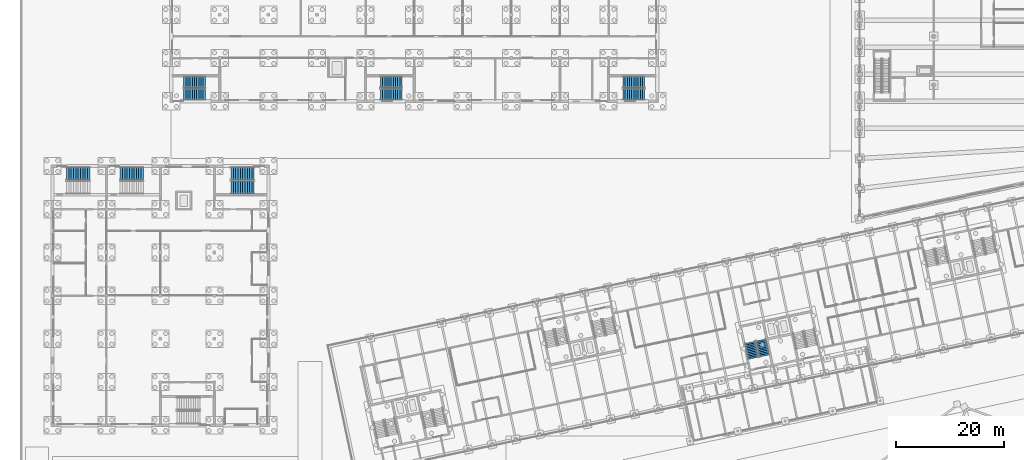
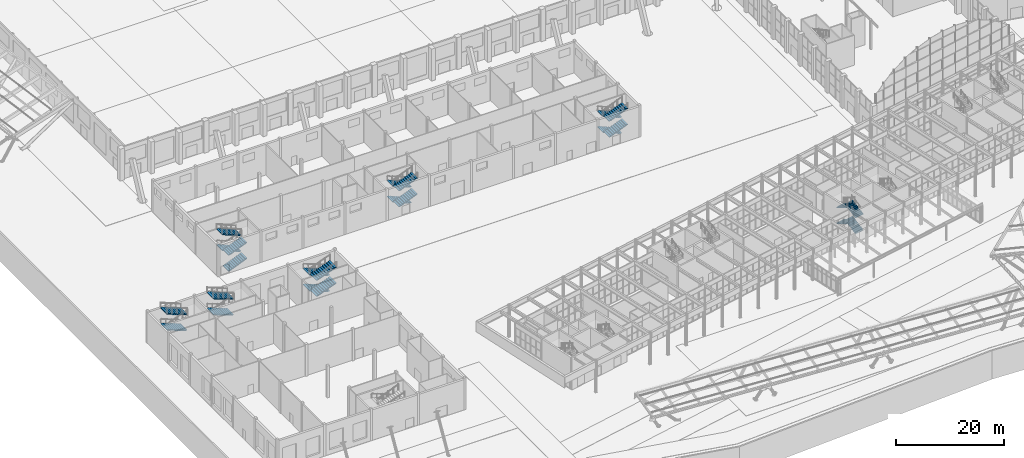
# One storey, part 191 of 239: 24 stair flights, 7 elements without a shape of their own.
"""IFC4 building model written with IfcOpenShell, lengths in metres."""

from ifc_helpers import new_model, si_unit, direction, frame, origin, place, context, subcontext, project, spatial, polyline, outline, extrude, material, type_object, element, aggregate, save


model = new_model("IFC4")

# Units and contexts
model_context = context("Model", 3, precision=1e-05, world=origin(), true_north=direction((0.0, 1.0)))
body_context = subcontext(model_context, "Body", "Model", "MODEL_VIEW")
ifc_project = project(units=[si_unit("LENGTHUNIT", "METRE"), si_unit("AREAUNIT", "SQUARE_METRE"), si_unit("VOLUMEUNIT", "CUBIC_METRE"), si_unit("PLANEANGLEUNIT", "RADIAN"), si_unit("MASSUNIT", "GRAM", prefix="KILO")], contexts=[model_context])

# Site, building, storey
site_placement = place(None, origin())
site = spatial("IfcSite", under=ifc_project, at=site_placement, CompositionType="ELEMENT")
building_placement = place(site_placement, origin())
building = spatial("IfcBuilding", under=site, at=building_placement, Name="Okhra Congress Centre", CompositionType="ELEMENT")
storey_placement = place(building_placement, origin())
storey = spatial("IfcBuildingStorey", under=building, at=storey_placement, Name="L00", CompositionType="ELEMENT", Elevation=0.0)

# Stair, stair flights
ifc_material = material(Name="Concrete C30/37", Category="concrete")
stair_type_1 = type_object("IfcStairType", Name="Escape stair 1900 wide, 44 risers of 163.6", PredefinedType="HALF_TURN_STAIR", material=ifc_material)
stair_1_placement = place(storey_placement, origin())
stair_1 = element("IfcStair", 1, at=stair_1_placement, inside=storey, type_object=stair_type_1, Name="L00 Escape stair 3A", PredefinedType="HALF_TURN_STAIR")
stair_flight_type_1 = type_object("IfcStairFlightType", Name="Stair flight 1900 wide", PredefinedType="STRAIGHT", material=ifc_material)
stair_flight_1_placement = place(storey_placement, frame((137.859130859375, 48.84326171875, 0.0), z_axis=(0.0, 0.0, 1.0), x_axis=(-0.207911690818, 0.978147600734, 0.0)))
stair_flight_1 = element("IfcStairFlight", 2, at=stair_flight_1_placement, type_object=stair_flight_type_1, Name="BS3A flight 1", NumberOfRisers=11, NumberOfTreads=10, PredefinedType="STRAIGHT", RiserHeight=0.163636364, TreadLength=0.3, context=body_context, shape_type="SweptSolid", body=[
    extrude(outline(polyline([(0.0, 0.0), (0.0, 0.16357421875), (0.300048828125, 0.16357421875), (0.300048828125, 0.327392578125), (0.60009765625, 0.327392578125), (0.60009765625, 0.490966796875), (0.89990234375, 0.490966796875), (0.89990234375, 0.654541015625), (1.199951171875, 0.654541015625), (1.199951171875, 0.818115234375), (1.5, 0.818115234375), (1.5, 0.98193359375), (1.800048828125, 0.98193359375), (1.800048828125, 1.1455078125), (2.10009765625, 1.1455078125), (2.10009765625, 1.30908203125), (2.39990234375, 1.30908203125), (2.39990234375, 1.47265625), (2.699951171875, 1.47265625), (2.699951171875, 1.636474609375), (3.0, 1.636474609375), (3.0, 1.800048828125), (3.0, 1.49951171875), (0.250732421875, 0.0), (0.0, 0.0)])), frame((0.0, 0.949951171875, 0.0), z_axis=(0.0, -1.0, 0.0), x_axis=(1.0, 0.0, 0.0)), (0.0, 0.0, 1.0), 1.89990234375),
])
stair_flight_2_placement = place(storey_placement, frame((135.181396484375, 51.34130859375, 1.800048828125), z_axis=(0.0, 0.0, 1.0), x_axis=(0.207911690818, -0.978147600734, 0.0)))
stair_flight_2 = element("IfcStairFlight", 3, at=stair_flight_2_placement, type_object=stair_flight_type_1, Name="BS3A flight 2", NumberOfRisers=11, NumberOfTreads=10, PredefinedType="STRAIGHT", RiserHeight=0.163636364, TreadLength=0.3, context=body_context, shape_type="SweptSolid", body=[
    extrude(outline(polyline([(0.0, 0.0), (0.0, 0.16357421875), (0.300048828125, 0.16357421875), (0.300048828125, 0.327392578125), (0.60009765625, 0.327392578125), (0.60009765625, 0.490966796875), (0.89990234375, 0.490966796875), (0.89990234375, 0.654541015625), (1.199951171875, 0.654541015625), (1.199951171875, 0.818115234375), (1.5, 0.818115234375), (1.5, 0.98193359375), (1.800048828125, 0.98193359375), (1.800048828125, 1.1455078125), (2.10009765625, 1.1455078125), (2.10009765625, 1.30908203125), (2.39990234375, 1.30908203125), (2.39990234375, 1.47265625), (2.699951171875, 1.47265625), (2.699951171875, 1.636474609375), (3.0, 1.636474609375), (3.0, 1.800048828125), (3.0, 1.49951171875), (0.250732421875, 0.0), (0.0, 0.0)])), frame((0.0, 0.949951171875, 0.0), z_axis=(0.0, -1.0, 0.0), x_axis=(1.0, 0.0, 0.0)), (0.0, 0.0, 1.0), 1.89990234375),
])
stair_flight_3_placement = place(storey_placement, frame((137.859130859375, 48.84326171875, 3.60009765625), z_axis=(0.0, 0.0, 1.0), x_axis=(-0.207911690818, 0.978147600734, 0.0)))
stair_flight_3 = element("IfcStairFlight", 4, at=stair_flight_3_placement, type_object=stair_flight_type_1, Name="BS3A flight 3", NumberOfRisers=11, NumberOfTreads=10, PredefinedType="STRAIGHT", RiserHeight=0.163636364, TreadLength=0.3, context=body_context, shape_type="SweptSolid", body=[
    extrude(outline(polyline([(0.0, 0.0), (0.0, 0.16357421875), (0.300048828125, 0.16357421875), (0.300048828125, 0.327392578125), (0.60009765625, 0.327392578125), (0.60009765625, 0.490966796875), (0.89990234375, 0.490966796875), (0.89990234375, 0.654541015625), (1.199951171875, 0.654541015625), (1.199951171875, 0.818115234375), (1.5, 0.818115234375), (1.5, 0.98193359375), (1.800048828125, 0.98193359375), (1.800048828125, 1.1455078125), (2.10009765625, 1.1455078125), (2.10009765625, 1.30908203125), (2.39990234375, 1.30908203125), (2.39990234375, 1.47265625), (2.699951171875, 1.47265625), (2.699951171875, 1.636474609375), (3.0, 1.636474609375), (3.0, 1.800048828125), (3.0, 1.49951171875), (0.250732421875, 0.0), (0.0, 0.0)])), frame((0.0, 0.949951171875, 0.0), z_axis=(0.0, -1.0, 0.0), x_axis=(1.0, 0.0, 0.0)), (0.0, 0.0, 1.0), 1.89990234375),
])
stair_flight_4_placement = place(storey_placement, frame((135.181396484375, 51.34130859375, 5.39990234375), z_axis=(0.0, 0.0, 1.0), x_axis=(0.207911690818, -0.978147600734, 0.0)))
stair_flight_4 = element("IfcStairFlight", 5, at=stair_flight_4_placement, type_object=stair_flight_type_1, Name="BS3A flight 4", NumberOfRisers=11, NumberOfTreads=10, PredefinedType="STRAIGHT", RiserHeight=0.163636364, TreadLength=0.3, context=body_context, shape_type="SweptSolid", body=[
    extrude(outline(polyline([(0.0, 0.0), (0.0, 0.16357421875), (0.300048828125, 0.16357421875), (0.300048828125, 0.327392578125), (0.60009765625, 0.327392578125), (0.60009765625, 0.490966796875), (0.89990234375, 0.490966796875), (0.89990234375, 0.654541015625), (1.199951171875, 0.654541015625), (1.199951171875, 0.818115234375), (1.5, 0.818115234375), (1.5, 0.98193359375), (1.800048828125, 0.98193359375), (1.800048828125, 1.1455078125), (2.10009765625, 1.1455078125), (2.10009765625, 1.30908203125), (2.39990234375, 1.30908203125), (2.39990234375, 1.47265625), (2.699951171875, 1.47265625), (2.699951171875, 1.636474609375), (3.0, 1.636474609375), (3.0, 1.800048828125), (3.0, 1.49951171875), (0.250732421875, 0.0), (0.0, 0.0)])), frame((0.0, 0.949951171875, 0.0), z_axis=(0.0, -1.0, 0.0), x_axis=(1.0, 0.0, 0.0)), (0.0, 0.0, 1.0), 1.89990234375),
])
aggregate(stair_1, [stair_flight_1, stair_flight_2, stair_flight_3, stair_flight_4])

stair_type_2 = type_object("IfcStairType", Name="Escape stair 2100 wide, 44 risers of 163.6", PredefinedType="HALF_TURN_STAIR", material=ifc_material)
stair_2_placement = place(storey_placement, origin())
stair_2 = element("IfcStair", 6, at=stair_2_placement, inside=storey, type_object=stair_type_2, Name="L00 Stair A", PredefinedType="HALF_TURN_STAIR")
stair_flight_type_2 = type_object("IfcStairFlightType", Name="Stair flight 2100 wide", PredefinedType="STRAIGHT", material=ifc_material)
stair_flight_5_placement = place(storey_placement, frame((30.324951171875, 97.27490234375, 0.0), z_axis=(0.0, 0.0, 1.0), x_axis=(1.0, 0.0, 0.0)))
stair_flight_5 = element("IfcStairFlight", 7, at=stair_flight_5_placement, type_object=stair_flight_type_2, Name="A flight 1", NumberOfRisers=11, NumberOfTreads=10, PredefinedType="STRAIGHT", RiserHeight=0.163636364, TreadLength=0.4, context=body_context, shape_type="SweptSolid", body=[
    extrude(outline(polyline([(0.0, 0.0), (0.0, 0.16357421875), (0.39990234375, 0.16357421875), (0.39990234375, 0.327392578125), (0.800048828125, 0.327392578125), (0.800048828125, 0.490966796875), (1.199951171875, 0.490966796875), (1.199951171875, 0.654541015625), (1.60009765625, 0.654541015625), (1.60009765625, 0.818115234375), (2.0, 0.818115234375), (2.0, 0.98193359375), (2.39990234375, 0.98193359375), (2.39990234375, 1.1455078125), (2.800048828125, 1.1455078125), (2.800048828125, 1.30908203125), (3.199951171875, 1.30908203125), (3.199951171875, 1.47265625), (3.60009765625, 1.47265625), (3.60009765625, 1.636474609375), (4.0, 1.636474609375), (4.0, 1.800048828125), (4.0, 1.474365234375), (0.39599609375, 0.0), (0.0, 0.0)])), frame((0.0, 1.050048828125, 0.0), z_axis=(0.0, -1.0, 0.0), x_axis=(1.0, 0.0, 0.0)), (0.0, 0.0, 1.0), 2.10009765625),
])
stair_flight_6_placement = place(storey_placement, frame((34.324951171875, 99.52490234375, 1.800048828125), z_axis=(0.0, 0.0, 1.0), x_axis=(-1.0, 0.0, 0.0)))
stair_flight_6 = element("IfcStairFlight", 8, at=stair_flight_6_placement, type_object=stair_flight_type_2, Name="A flight 2", NumberOfRisers=11, NumberOfTreads=10, PredefinedType="STRAIGHT", RiserHeight=0.163636364, TreadLength=0.4, context=body_context, shape_type="SweptSolid", body=[
    extrude(outline(polyline([(0.0, 0.0), (0.0, 0.16357421875), (0.39990234375, 0.16357421875), (0.39990234375, 0.327392578125), (0.800048828125, 0.327392578125), (0.800048828125, 0.490966796875), (1.199951171875, 0.490966796875), (1.199951171875, 0.654541015625), (1.60009765625, 0.654541015625), (1.60009765625, 0.818115234375), (2.0, 0.818115234375), (2.0, 0.98193359375), (2.39990234375, 0.98193359375), (2.39990234375, 1.1455078125), (2.800048828125, 1.1455078125), (2.800048828125, 1.30908203125), (3.199951171875, 1.30908203125), (3.199951171875, 1.47265625), (3.60009765625, 1.47265625), (3.60009765625, 1.636474609375), (4.0, 1.636474609375), (4.0, 1.800048828125), (4.0, 1.474365234375), (0.39599609375, 0.0), (0.0, 0.0)])), frame((0.0, 1.050048828125, 0.0), z_axis=(0.0, -1.0, 0.0), x_axis=(1.0, 0.0, 0.0)), (0.0, 0.0, 1.0), 2.10009765625),
])
stair_flight_7_placement = place(storey_placement, frame((30.324951171875, 97.27490234375, 3.60009765625), z_axis=(0.0, 0.0, 1.0), x_axis=(1.0, 0.0, 0.0)))
stair_flight_7 = element("IfcStairFlight", 9, at=stair_flight_7_placement, type_object=stair_flight_type_2, Name="A flight 3", NumberOfRisers=11, NumberOfTreads=10, PredefinedType="STRAIGHT", RiserHeight=0.163636364, TreadLength=0.4, context=body_context, shape_type="SweptSolid", body=[
    extrude(outline(polyline([(0.0, 0.0), (0.0, 0.16357421875), (0.39990234375, 0.16357421875), (0.39990234375, 0.327392578125), (0.800048828125, 0.327392578125), (0.800048828125, 0.490966796875), (1.199951171875, 0.490966796875), (1.199951171875, 0.654541015625), (1.60009765625, 0.654541015625), (1.60009765625, 0.818115234375), (2.0, 0.818115234375), (2.0, 0.98193359375), (2.39990234375, 0.98193359375), (2.39990234375, 1.1455078125), (2.800048828125, 1.1455078125), (2.800048828125, 1.30908203125), (3.199951171875, 1.30908203125), (3.199951171875, 1.47265625), (3.60009765625, 1.47265625), (3.60009765625, 1.636474609375), (4.0, 1.636474609375), (4.0, 1.800048828125), (4.0, 1.474365234375), (0.39599609375, 0.0), (0.0, 0.0)])), frame((0.0, 1.050048828125, 0.0), z_axis=(0.0, -1.0, 0.0), x_axis=(1.0, 0.0, 0.0)), (0.0, 0.0, 1.0), 2.10009765625),
])
stair_flight_8_placement = place(storey_placement, frame((34.324951171875, 99.52490234375, 5.39990234375), z_axis=(0.0, 0.0, 1.0), x_axis=(-1.0, 0.0, 0.0)))
stair_flight_8 = element("IfcStairFlight", 10, at=stair_flight_8_placement, type_object=stair_flight_type_2, Name="A flight 4", NumberOfRisers=11, NumberOfTreads=10, PredefinedType="STRAIGHT", RiserHeight=0.163636364, TreadLength=0.4, context=body_context, shape_type="SweptSolid", body=[
    extrude(outline(polyline([(0.0, 0.0), (0.0, 0.16357421875), (0.39990234375, 0.16357421875), (0.39990234375, 0.327392578125), (0.800048828125, 0.327392578125), (0.800048828125, 0.490966796875), (1.199951171875, 0.490966796875), (1.199951171875, 0.654541015625), (1.60009765625, 0.654541015625), (1.60009765625, 0.818115234375), (2.0, 0.818115234375), (2.0, 0.98193359375), (2.39990234375, 0.98193359375), (2.39990234375, 1.1455078125), (2.800048828125, 1.1455078125), (2.800048828125, 1.30908203125), (3.199951171875, 1.30908203125), (3.199951171875, 1.47265625), (3.60009765625, 1.47265625), (3.60009765625, 1.636474609375), (4.0, 1.636474609375), (4.0, 1.800048828125), (4.0, 1.474365234375), (0.39599609375, 0.0), (0.0, 0.0)])), frame((0.0, 1.050048828125, 0.0), z_axis=(0.0, -1.0, 0.0), x_axis=(1.0, 0.0, 0.0)), (0.0, 0.0, 1.0), 2.10009765625),
])
aggregate(stair_2, [stair_flight_5, stair_flight_6, stair_flight_7, stair_flight_8])

stair_3_placement = place(storey_placement, origin())
stair_3 = element("IfcStair", 11, at=stair_3_placement, inside=storey, type_object=stair_type_2, Name="L00 Stair B", PredefinedType="HALF_TURN_STAIR")
stair_flight_9_placement = place(storey_placement, frame((70.75, 99.52490234375, 0.0), z_axis=(0.0, 0.0, 1.0), x_axis=(-1.0, 0.0, 0.0)))
stair_flight_9 = element("IfcStairFlight", 12, at=stair_flight_9_placement, type_object=stair_flight_type_2, Name="B flight 1", NumberOfRisers=11, NumberOfTreads=10, PredefinedType="STRAIGHT", RiserHeight=0.163636364, TreadLength=0.4, context=body_context, shape_type="SweptSolid", body=[
    extrude(outline(polyline([(0.0, 0.0), (0.0, 0.16357421875), (0.39990234375, 0.16357421875), (0.39990234375, 0.327392578125), (0.800048828125, 0.327392578125), (0.800048828125, 0.490966796875), (1.199951171875, 0.490966796875), (1.199951171875, 0.654541015625), (1.60009765625, 0.654541015625), (1.60009765625, 0.818115234375), (2.0, 0.818115234375), (2.0, 0.98193359375), (2.39990234375, 0.98193359375), (2.39990234375, 1.1455078125), (2.800048828125, 1.1455078125), (2.800048828125, 1.30908203125), (3.199951171875, 1.30908203125), (3.199951171875, 1.47265625), (3.60009765625, 1.47265625), (3.60009765625, 1.636474609375), (4.0, 1.636474609375), (4.0, 1.800048828125), (4.0, 1.474365234375), (0.39599609375, 0.0), (0.0, 0.0)])), frame((0.0, 1.050048828125, 0.0), z_axis=(0.0, -1.0, 0.0), x_axis=(1.0, 0.0, 0.0)), (0.0, 0.0, 1.0), 2.10009765625),
])
stair_flight_10_placement = place(storey_placement, frame((66.75, 97.27490234375, 1.800048828125), z_axis=(0.0, 0.0, 1.0), x_axis=(1.0, 0.0, 0.0)))
stair_flight_10 = element("IfcStairFlight", 13, at=stair_flight_10_placement, type_object=stair_flight_type_2, Name="B flight 2", NumberOfRisers=11, NumberOfTreads=10, PredefinedType="STRAIGHT", RiserHeight=0.163636364, TreadLength=0.4, context=body_context, shape_type="SweptSolid", body=[
    extrude(outline(polyline([(0.0, 0.0), (0.0, 0.16357421875), (0.39990234375, 0.16357421875), (0.39990234375, 0.327392578125), (0.800048828125, 0.327392578125), (0.800048828125, 0.490966796875), (1.199951171875, 0.490966796875), (1.199951171875, 0.654541015625), (1.60009765625, 0.654541015625), (1.60009765625, 0.818115234375), (2.0, 0.818115234375), (2.0, 0.98193359375), (2.39990234375, 0.98193359375), (2.39990234375, 1.1455078125), (2.800048828125, 1.1455078125), (2.800048828125, 1.30908203125), (3.199951171875, 1.30908203125), (3.199951171875, 1.47265625), (3.60009765625, 1.47265625), (3.60009765625, 1.636474609375), (4.0, 1.636474609375), (4.0, 1.800048828125), (4.0, 1.474365234375), (0.39599609375, 0.0), (0.0, 0.0)])), frame((0.0, 1.050048828125, 0.0), z_axis=(0.0, -1.0, 0.0), x_axis=(1.0, 0.0, 0.0)), (0.0, 0.0, 1.0), 2.10009765625),
])
stair_flight_11_placement = place(storey_placement, frame((70.75, 99.52490234375, 3.60009765625), z_axis=(0.0, 0.0, 1.0), x_axis=(-1.0, 0.0, 0.0)))
stair_flight_11 = element("IfcStairFlight", 14, at=stair_flight_11_placement, type_object=stair_flight_type_2, Name="B flight 3", NumberOfRisers=11, NumberOfTreads=10, PredefinedType="STRAIGHT", RiserHeight=0.163636364, TreadLength=0.4, context=body_context, shape_type="SweptSolid", body=[
    extrude(outline(polyline([(0.0, 0.0), (0.0, 0.16357421875), (0.39990234375, 0.16357421875), (0.39990234375, 0.327392578125), (0.800048828125, 0.327392578125), (0.800048828125, 0.490966796875), (1.199951171875, 0.490966796875), (1.199951171875, 0.654541015625), (1.60009765625, 0.654541015625), (1.60009765625, 0.818115234375), (2.0, 0.818115234375), (2.0, 0.98193359375), (2.39990234375, 0.98193359375), (2.39990234375, 1.1455078125), (2.800048828125, 1.1455078125), (2.800048828125, 1.30908203125), (3.199951171875, 1.30908203125), (3.199951171875, 1.47265625), (3.60009765625, 1.47265625), (3.60009765625, 1.636474609375), (4.0, 1.636474609375), (4.0, 1.800048828125), (4.0, 1.474365234375), (0.39599609375, 0.0), (0.0, 0.0)])), frame((0.0, 1.050048828125, 0.0), z_axis=(0.0, -1.0, 0.0), x_axis=(1.0, 0.0, 0.0)), (0.0, 0.0, 1.0), 2.10009765625),
])
stair_flight_12_placement = place(storey_placement, frame((66.75, 97.27490234375, 5.39990234375), z_axis=(0.0, 0.0, 1.0), x_axis=(1.0, 0.0, 0.0)))
stair_flight_12 = element("IfcStairFlight", 15, at=stair_flight_12_placement, type_object=stair_flight_type_2, Name="B flight 4", NumberOfRisers=11, NumberOfTreads=10, PredefinedType="STRAIGHT", RiserHeight=0.163636364, TreadLength=0.4, context=body_context, shape_type="SweptSolid", body=[
    extrude(outline(polyline([(0.0, 0.0), (0.0, 0.16357421875), (0.39990234375, 0.16357421875), (0.39990234375, 0.327392578125), (0.800048828125, 0.327392578125), (0.800048828125, 0.490966796875), (1.199951171875, 0.490966796875), (1.199951171875, 0.654541015625), (1.60009765625, 0.654541015625), (1.60009765625, 0.818115234375), (2.0, 0.818115234375), (2.0, 0.98193359375), (2.39990234375, 0.98193359375), (2.39990234375, 1.1455078125), (2.800048828125, 1.1455078125), (2.800048828125, 1.30908203125), (3.199951171875, 1.30908203125), (3.199951171875, 1.47265625), (3.60009765625, 1.47265625), (3.60009765625, 1.636474609375), (4.0, 1.636474609375), (4.0, 1.800048828125), (4.0, 1.474365234375), (0.39599609375, 0.0), (0.0, 0.0)])), frame((0.0, 1.050048828125, 0.0), z_axis=(0.0, -1.0, 0.0), x_axis=(1.0, 0.0, 0.0)), (0.0, 0.0, 1.0), 2.10009765625),
])
aggregate(stair_3, [stair_flight_9, stair_flight_10, stair_flight_11, stair_flight_12])

stair_4_placement = place(storey_placement, origin())
stair_4 = element("IfcStair", 16, at=stair_4_placement, inside=storey, type_object=stair_type_2, Name="L00 Stair C", PredefinedType="HALF_TURN_STAIR")
stair_flight_13_placement = place(storey_placement, frame((115.675048828125, 99.52490234375, 0.0), z_axis=(0.0, 0.0, 1.0), x_axis=(-1.0, 0.0, 0.0)))
stair_flight_13 = element("IfcStairFlight", 17, at=stair_flight_13_placement, type_object=stair_flight_type_2, Name="C flight 1", NumberOfRisers=11, NumberOfTreads=10, PredefinedType="STRAIGHT", RiserHeight=0.163636364, TreadLength=0.4, context=body_context, shape_type="SweptSolid", body=[
    extrude(outline(polyline([(0.0, 0.0), (0.0, 0.16357421875), (0.39990234375, 0.16357421875), (0.39990234375, 0.327392578125), (0.800048828125, 0.327392578125), (0.800048828125, 0.490966796875), (1.199951171875, 0.490966796875), (1.199951171875, 0.654541015625), (1.60009765625, 0.654541015625), (1.60009765625, 0.818115234375), (2.0, 0.818115234375), (2.0, 0.98193359375), (2.39990234375, 0.98193359375), (2.39990234375, 1.1455078125), (2.800048828125, 1.1455078125), (2.800048828125, 1.30908203125), (3.199951171875, 1.30908203125), (3.199951171875, 1.47265625), (3.60009765625, 1.47265625), (3.60009765625, 1.636474609375), (4.0, 1.636474609375), (4.0, 1.800048828125), (4.0, 1.474365234375), (0.39599609375, 0.0), (0.0, 0.0)])), frame((0.0, 1.050048828125, 0.0), z_axis=(0.0, -1.0, 0.0), x_axis=(1.0, 0.0, 0.0)), (0.0, 0.0, 1.0), 2.10009765625),
])
stair_flight_14_placement = place(storey_placement, frame((111.675048828125, 97.27490234375, 1.800048828125), z_axis=(0.0, 0.0, 1.0), x_axis=(1.0, 0.0, 0.0)))
stair_flight_14 = element("IfcStairFlight", 18, at=stair_flight_14_placement, type_object=stair_flight_type_2, Name="C flight 2", NumberOfRisers=11, NumberOfTreads=10, PredefinedType="STRAIGHT", RiserHeight=0.163636364, TreadLength=0.4, context=body_context, shape_type="SweptSolid", body=[
    extrude(outline(polyline([(0.0, 0.0), (0.0, 0.16357421875), (0.39990234375, 0.16357421875), (0.39990234375, 0.327392578125), (0.800048828125, 0.327392578125), (0.800048828125, 0.490966796875), (1.199951171875, 0.490966796875), (1.199951171875, 0.654541015625), (1.60009765625, 0.654541015625), (1.60009765625, 0.818115234375), (2.0, 0.818115234375), (2.0, 0.98193359375), (2.39990234375, 0.98193359375), (2.39990234375, 1.1455078125), (2.800048828125, 1.1455078125), (2.800048828125, 1.30908203125), (3.199951171875, 1.30908203125), (3.199951171875, 1.47265625), (3.60009765625, 1.47265625), (3.60009765625, 1.636474609375), (4.0, 1.636474609375), (4.0, 1.800048828125), (4.0, 1.474365234375), (0.39599609375, 0.0), (0.0, 0.0)])), frame((0.0, 1.050048828125, 0.0), z_axis=(0.0, -1.0, 0.0), x_axis=(1.0, 0.0, 0.0)), (0.0, 0.0, 1.0), 2.10009765625),
])
stair_flight_15_placement = place(storey_placement, frame((115.675048828125, 99.52490234375, 3.60009765625), z_axis=(0.0, 0.0, 1.0), x_axis=(-1.0, 0.0, 0.0)))
stair_flight_15 = element("IfcStairFlight", 19, at=stair_flight_15_placement, type_object=stair_flight_type_2, Name="C flight 3", NumberOfRisers=11, NumberOfTreads=10, PredefinedType="STRAIGHT", RiserHeight=0.163636364, TreadLength=0.4, context=body_context, shape_type="SweptSolid", body=[
    extrude(outline(polyline([(0.0, 0.0), (0.0, 0.16357421875), (0.39990234375, 0.16357421875), (0.39990234375, 0.327392578125), (0.800048828125, 0.327392578125), (0.800048828125, 0.490966796875), (1.199951171875, 0.490966796875), (1.199951171875, 0.654541015625), (1.60009765625, 0.654541015625), (1.60009765625, 0.818115234375), (2.0, 0.818115234375), (2.0, 0.98193359375), (2.39990234375, 0.98193359375), (2.39990234375, 1.1455078125), (2.800048828125, 1.1455078125), (2.800048828125, 1.30908203125), (3.199951171875, 1.30908203125), (3.199951171875, 1.47265625), (3.60009765625, 1.47265625), (3.60009765625, 1.636474609375), (4.0, 1.636474609375), (4.0, 1.800048828125), (4.0, 1.474365234375), (0.39599609375, 0.0), (0.0, 0.0)])), frame((0.0, 1.050048828125, 0.0), z_axis=(0.0, -1.0, 0.0), x_axis=(1.0, 0.0, 0.0)), (0.0, 0.0, 1.0), 2.10009765625),
])
stair_flight_16_placement = place(storey_placement, frame((111.675048828125, 97.27490234375, 5.39990234375), z_axis=(0.0, 0.0, 1.0), x_axis=(1.0, 0.0, 0.0)))
stair_flight_16 = element("IfcStairFlight", 20, at=stair_flight_16_placement, type_object=stair_flight_type_2, Name="C flight 4", NumberOfRisers=11, NumberOfTreads=10, PredefinedType="STRAIGHT", RiserHeight=0.163636364, TreadLength=0.4, context=body_context, shape_type="SweptSolid", body=[
    extrude(outline(polyline([(0.0, 0.0), (0.0, 0.16357421875), (0.39990234375, 0.16357421875), (0.39990234375, 0.327392578125), (0.800048828125, 0.327392578125), (0.800048828125, 0.490966796875), (1.199951171875, 0.490966796875), (1.199951171875, 0.654541015625), (1.60009765625, 0.654541015625), (1.60009765625, 0.818115234375), (2.0, 0.818115234375), (2.0, 0.98193359375), (2.39990234375, 0.98193359375), (2.39990234375, 1.1455078125), (2.800048828125, 1.1455078125), (2.800048828125, 1.30908203125), (3.199951171875, 1.30908203125), (3.199951171875, 1.47265625), (3.60009765625, 1.47265625), (3.60009765625, 1.636474609375), (4.0, 1.636474609375), (4.0, 1.800048828125), (4.0, 1.474365234375), (0.39599609375, 0.0), (0.0, 0.0)])), frame((0.0, 1.050048828125, 0.0), z_axis=(0.0, -1.0, 0.0), x_axis=(1.0, 0.0, 0.0)), (0.0, 0.0, 1.0), 2.10009765625),
])
aggregate(stair_4, [stair_flight_13, stair_flight_14, stair_flight_15, stair_flight_16])

stair_type_3 = type_object("IfcStairType", Name="Escape stair 2400 wide, 44 risers of 163.6", PredefinedType="HALF_TURN_STAIR", material=ifc_material)
stair_5_placement = place(storey_placement, origin())
stair_5 = element("IfcStair", 21, at=stair_5_placement, inside=storey, type_object=stair_type_3, Name="L00 Stair R1", PredefinedType="HALF_TURN_STAIR")
stair_flight_type_3 = type_object("IfcStairFlightType", Name="Stair flight 2400 wide", PredefinedType="STRAIGHT", material=ifc_material)
stair_flight_17_placement = place(storey_placement, frame((12.925048828125, 82.574951171875, 1.800048828125), z_axis=(0.0, 0.0, 1.0), x_axis=(-1.0, 0.0, 0.0)))
stair_flight_17 = element("IfcStairFlight", 22, at=stair_flight_17_placement, type_object=stair_flight_type_3, Name="R1 flight 2", NumberOfRisers=11, NumberOfTreads=10, PredefinedType="STRAIGHT", RiserHeight=0.163636364, TreadLength=0.43, context=body_context, shape_type="SweptSolid", body=[
    extrude(outline(polyline([(0.0, 0.0), (0.0, 0.16357421875), (0.429931640625, 0.16357421875), (0.429931640625, 0.327392578125), (0.860107421875, 0.327392578125), (0.860107421875, 0.490966796875), (1.2900390625, 0.490966796875), (1.2900390625, 0.654541015625), (1.719970703125, 0.654541015625), (1.719970703125, 0.818115234375), (2.14990234375, 0.818115234375), (2.14990234375, 0.98193359375), (2.580078125, 0.98193359375), (2.580078125, 1.1455078125), (3.010009765625, 1.1455078125), (3.010009765625, 1.30908203125), (3.43994140625, 1.30908203125), (3.43994140625, 1.47265625), (3.8701171875, 1.47265625), (3.8701171875, 1.636474609375), (4.300048828125, 1.636474609375), (4.300048828125, 1.800048828125), (4.300048828125, 1.47607421875), (0.42138671875, 0.0), (0.0, 0.0)])), frame((0.0, 1.199951171875, 0.0), z_axis=(0.0, -1.0, 0.0), x_axis=(1.0, 0.0, 0.0)), (0.0, 0.0, 1.0), 2.39990234375),
])
stair_flight_18_placement = place(storey_placement, frame((12.925048828125, 82.574951171875, 5.39990234375), z_axis=(0.0, 0.0, 1.0), x_axis=(-1.0, 0.0, 0.0)))
stair_flight_18 = element("IfcStairFlight", 23, at=stair_flight_18_placement, type_object=stair_flight_type_3, Name="R1 flight 4", NumberOfRisers=11, NumberOfTreads=10, PredefinedType="STRAIGHT", RiserHeight=0.163636364, TreadLength=0.43, context=body_context, shape_type="SweptSolid", body=[
    extrude(outline(polyline([(0.0, 0.0), (0.0, 0.16357421875), (0.429931640625, 0.16357421875), (0.429931640625, 0.327392578125), (0.860107421875, 0.327392578125), (0.860107421875, 0.490966796875), (1.2900390625, 0.490966796875), (1.2900390625, 0.654541015625), (1.719970703125, 0.654541015625), (1.719970703125, 0.818115234375), (2.14990234375, 0.818115234375), (2.14990234375, 0.98193359375), (2.580078125, 0.98193359375), (2.580078125, 1.1455078125), (3.010009765625, 1.1455078125), (3.010009765625, 1.30908203125), (3.43994140625, 1.30908203125), (3.43994140625, 1.47265625), (3.8701171875, 1.47265625), (3.8701171875, 1.636474609375), (4.300048828125, 1.636474609375), (4.300048828125, 1.800048828125), (4.300048828125, 1.47607421875), (0.42138671875, 0.0), (0.0, 0.0)])), frame((0.0, 1.199951171875, 0.0), z_axis=(0.0, -1.0, 0.0), x_axis=(1.0, 0.0, 0.0)), (0.0, 0.0, 1.0), 2.39990234375),
])
aggregate(stair_5, [stair_flight_17, stair_flight_18])

stair_6_placement = place(storey_placement, origin())
stair_6 = element("IfcStair", 24, at=stair_6_placement, inside=storey, type_object=stair_type_3, Name="L00 Stair R3", PredefinedType="HALF_TURN_STAIR")
stair_flight_19_placement = place(storey_placement, frame((22.85009765625, 82.574951171875, 1.800048828125), z_axis=(0.0, 0.0, 1.0), x_axis=(-1.0, 0.0, 0.0)))
stair_flight_19 = element("IfcStairFlight", 25, at=stair_flight_19_placement, type_object=stair_flight_type_3, Name="R3 flight 2", NumberOfRisers=11, NumberOfTreads=10, PredefinedType="STRAIGHT", RiserHeight=0.163636364, TreadLength=0.43, context=body_context, shape_type="SweptSolid", body=[
    extrude(outline(polyline([(0.0, 0.0), (0.0, 0.16357421875), (0.429931640625, 0.16357421875), (0.429931640625, 0.327392578125), (0.860107421875, 0.327392578125), (0.860107421875, 0.490966796875), (1.2900390625, 0.490966796875), (1.2900390625, 0.654541015625), (1.719970703125, 0.654541015625), (1.719970703125, 0.818115234375), (2.14990234375, 0.818115234375), (2.14990234375, 0.98193359375), (2.580078125, 0.98193359375), (2.580078125, 1.1455078125), (3.010009765625, 1.1455078125), (3.010009765625, 1.30908203125), (3.43994140625, 1.30908203125), (3.43994140625, 1.47265625), (3.8701171875, 1.47265625), (3.8701171875, 1.636474609375), (4.300048828125, 1.636474609375), (4.300048828125, 1.800048828125), (4.300048828125, 1.47607421875), (0.42138671875, 0.0), (0.0, 0.0)])), frame((0.0, 1.199951171875, 0.0), z_axis=(0.0, -1.0, 0.0), x_axis=(1.0, 0.0, 0.0)), (0.0, 0.0, 1.0), 2.39990234375),
])
stair_flight_20_placement = place(storey_placement, frame((22.85009765625, 82.574951171875, 5.39990234375), z_axis=(0.0, 0.0, 1.0), x_axis=(-1.0, 0.0, 0.0)))
stair_flight_20 = element("IfcStairFlight", 26, at=stair_flight_20_placement, type_object=stair_flight_type_3, Name="R3 flight 4", NumberOfRisers=11, NumberOfTreads=10, PredefinedType="STRAIGHT", RiserHeight=0.163636364, TreadLength=0.43, context=body_context, shape_type="SweptSolid", body=[
    extrude(outline(polyline([(0.0, 0.0), (0.0, 0.16357421875), (0.429931640625, 0.16357421875), (0.429931640625, 0.327392578125), (0.860107421875, 0.327392578125), (0.860107421875, 0.490966796875), (1.2900390625, 0.490966796875), (1.2900390625, 0.654541015625), (1.719970703125, 0.654541015625), (1.719970703125, 0.818115234375), (2.14990234375, 0.818115234375), (2.14990234375, 0.98193359375), (2.580078125, 0.98193359375), (2.580078125, 1.1455078125), (3.010009765625, 1.1455078125), (3.010009765625, 1.30908203125), (3.43994140625, 1.30908203125), (3.43994140625, 1.47265625), (3.8701171875, 1.47265625), (3.8701171875, 1.636474609375), (4.300048828125, 1.636474609375), (4.300048828125, 1.800048828125), (4.300048828125, 1.47607421875), (0.42138671875, 0.0), (0.0, 0.0)])), frame((0.0, 1.199951171875, 0.0), z_axis=(0.0, -1.0, 0.0), x_axis=(1.0, 0.0, 0.0)), (0.0, 0.0, 1.0), 2.39990234375),
])
aggregate(stair_6, [stair_flight_19, stair_flight_20])

stair_7_placement = place(storey_placement, origin())
stair_7 = element("IfcStair", 27, at=stair_7_placement, inside=storey, type_object=stair_type_3, Name="L00 Stair R2", PredefinedType="HALF_TURN_STAIR")
stair_flight_21_placement = place(storey_placement, frame((43.375, 82.574951171875, 0.0), z_axis=(0.0, 0.0, 1.0), x_axis=(-1.0, 0.0, 0.0)))
stair_flight_21 = element("IfcStairFlight", 28, at=stair_flight_21_placement, type_object=stair_flight_type_3, Name="R2 flight 1", NumberOfRisers=11, NumberOfTreads=10, PredefinedType="STRAIGHT", RiserHeight=0.163636364, TreadLength=0.43, context=body_context, shape_type="SweptSolid", body=[
    extrude(outline(polyline([(0.0, 0.0), (0.0, 0.16357421875), (0.429931640625, 0.16357421875), (0.429931640625, 0.327392578125), (0.860107421875, 0.327392578125), (0.860107421875, 0.490966796875), (1.2900390625, 0.490966796875), (1.2900390625, 0.654541015625), (1.719970703125, 0.654541015625), (1.719970703125, 0.818115234375), (2.14990234375, 0.818115234375), (2.14990234375, 0.98193359375), (2.580078125, 0.98193359375), (2.580078125, 1.1455078125), (3.010009765625, 1.1455078125), (3.010009765625, 1.30908203125), (3.43994140625, 1.30908203125), (3.43994140625, 1.47265625), (3.8701171875, 1.47265625), (3.8701171875, 1.636474609375), (4.300048828125, 1.636474609375), (4.300048828125, 1.800048828125), (4.300048828125, 1.47607421875), (0.42138671875, 0.0), (0.0, 0.0)])), frame((0.0, 1.199951171875, 0.0), z_axis=(0.0, -1.0, 0.0), x_axis=(1.0, 0.0, 0.0)), (0.0, 0.0, 1.0), 2.39990234375),
])
stair_flight_22_placement = place(storey_placement, frame((39.074951171875, 80.02490234375, 1.800048828125), z_axis=(0.0, 0.0, 1.0), x_axis=(1.0, 0.0, 0.0)))
stair_flight_22 = element("IfcStairFlight", 29, at=stair_flight_22_placement, type_object=stair_flight_type_3, Name="R2 flight 2", NumberOfRisers=11, NumberOfTreads=10, PredefinedType="STRAIGHT", RiserHeight=0.163636364, TreadLength=0.43, context=body_context, shape_type="SweptSolid", body=[
    extrude(outline(polyline([(0.0, 0.0), (0.0, 0.16357421875), (0.429931640625, 0.16357421875), (0.429931640625, 0.327392578125), (0.860107421875, 0.327392578125), (0.860107421875, 0.490966796875), (1.2900390625, 0.490966796875), (1.2900390625, 0.654541015625), (1.719970703125, 0.654541015625), (1.719970703125, 0.818115234375), (2.14990234375, 0.818115234375), (2.14990234375, 0.98193359375), (2.580078125, 0.98193359375), (2.580078125, 1.1455078125), (3.010009765625, 1.1455078125), (3.010009765625, 1.30908203125), (3.43994140625, 1.30908203125), (3.43994140625, 1.47265625), (3.8701171875, 1.47265625), (3.8701171875, 1.636474609375), (4.300048828125, 1.636474609375), (4.300048828125, 1.800048828125), (4.300048828125, 1.47607421875), (0.42138671875, 0.0), (0.0, 0.0)])), frame((0.0, 1.199951171875, 0.0), z_axis=(0.0, -1.0, 0.0), x_axis=(1.0, 0.0, 0.0)), (0.0, 0.0, 1.0), 2.39990234375),
])
stair_flight_23_placement = place(storey_placement, frame((43.375, 82.574951171875, 3.60009765625), z_axis=(0.0, 0.0, 1.0), x_axis=(-1.0, 0.0, 0.0)))
stair_flight_23 = element("IfcStairFlight", 30, at=stair_flight_23_placement, type_object=stair_flight_type_3, Name="R2 flight 3", NumberOfRisers=11, NumberOfTreads=10, PredefinedType="STRAIGHT", RiserHeight=0.163636364, TreadLength=0.43, context=body_context, shape_type="SweptSolid", body=[
    extrude(outline(polyline([(0.0, 0.0), (0.0, 0.16357421875), (0.429931640625, 0.16357421875), (0.429931640625, 0.327392578125), (0.860107421875, 0.327392578125), (0.860107421875, 0.490966796875), (1.2900390625, 0.490966796875), (1.2900390625, 0.654541015625), (1.719970703125, 0.654541015625), (1.719970703125, 0.818115234375), (2.14990234375, 0.818115234375), (2.14990234375, 0.98193359375), (2.580078125, 0.98193359375), (2.580078125, 1.1455078125), (3.010009765625, 1.1455078125), (3.010009765625, 1.30908203125), (3.43994140625, 1.30908203125), (3.43994140625, 1.47265625), (3.8701171875, 1.47265625), (3.8701171875, 1.636474609375), (4.300048828125, 1.636474609375), (4.300048828125, 1.800048828125), (4.300048828125, 1.47607421875), (0.42138671875, 0.0), (0.0, 0.0)])), frame((0.0, 1.199951171875, 0.0), z_axis=(0.0, -1.0, 0.0), x_axis=(1.0, 0.0, 0.0)), (0.0, 0.0, 1.0), 2.39990234375),
])
stair_flight_24_placement = place(storey_placement, frame((39.074951171875, 80.02490234375, 5.39990234375), z_axis=(0.0, 0.0, 1.0), x_axis=(1.0, 0.0, 0.0)))
stair_flight_24 = element("IfcStairFlight", 31, at=stair_flight_24_placement, type_object=stair_flight_type_3, Name="R2 flight 4", NumberOfRisers=11, NumberOfTreads=10, PredefinedType="STRAIGHT", RiserHeight=0.163636364, TreadLength=0.43, context=body_context, shape_type="SweptSolid", body=[
    extrude(outline(polyline([(0.0, 0.0), (0.0, 0.16357421875), (0.429931640625, 0.16357421875), (0.429931640625, 0.327392578125), (0.860107421875, 0.327392578125), (0.860107421875, 0.490966796875), (1.2900390625, 0.490966796875), (1.2900390625, 0.654541015625), (1.719970703125, 0.654541015625), (1.719970703125, 0.818115234375), (2.14990234375, 0.818115234375), (2.14990234375, 0.98193359375), (2.580078125, 0.98193359375), (2.580078125, 1.1455078125), (3.010009765625, 1.1455078125), (3.010009765625, 1.30908203125), (3.43994140625, 1.30908203125), (3.43994140625, 1.47265625), (3.8701171875, 1.47265625), (3.8701171875, 1.636474609375), (4.300048828125, 1.636474609375), (4.300048828125, 1.800048828125), (4.300048828125, 1.47607421875), (0.42138671875, 0.0), (0.0, 0.0)])), frame((0.0, 1.199951171875, 0.0), z_axis=(0.0, -1.0, 0.0), x_axis=(1.0, 0.0, 0.0)), (0.0, 0.0, 1.0), 2.39990234375),
])
aggregate(stair_7, [stair_flight_21, stair_flight_22, stair_flight_23, stair_flight_24])

save(model, "model.ifc")
